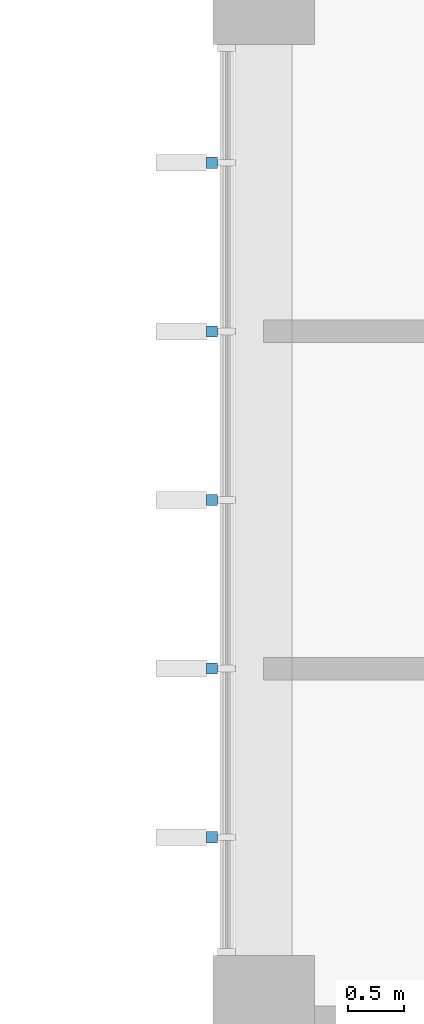
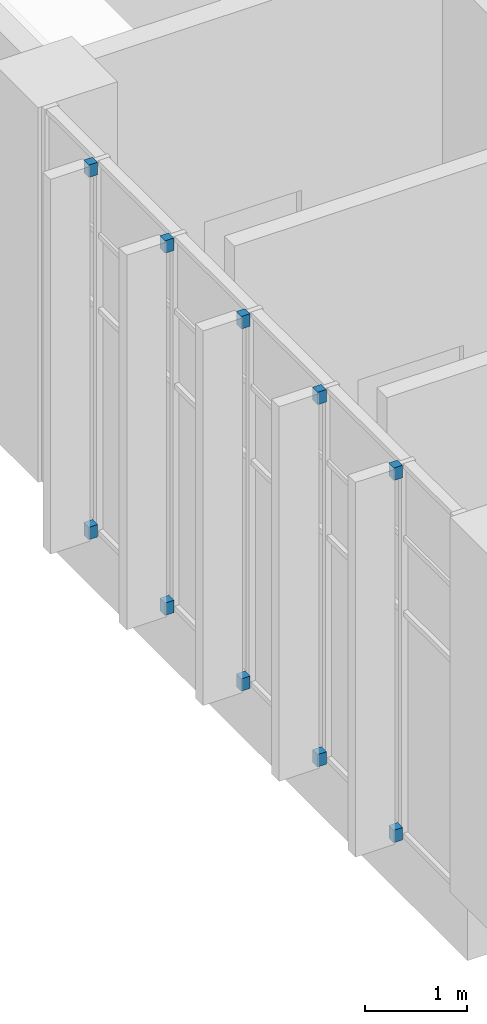
# One storey, part 65 of 79: 10 discrete accessories.
"""IFC4 building model written with IfcOpenShell, lengths in metres."""

import ifcopenshell
import ifcopenshell.guid

model = None  # the IFC model being written
_history = None  # IfcOwnerHistory: only IFC2X3 demands one
_inside = {}  # id of a spatial element -> (the spatial element, [elements in it])
_under = {}  # id of a project, library or spatial element -> (it, [spatial elements below it])
_declared = {}  # id of a project -> (the project, [libraries it declares])
_typed = {}  # id of a type object -> (the type object, [elements of that type])
_made_of = {}  # id of a material, layer set ... -> (it, [elements and type objects made of it])


def new_model(schema):
    """Start an empty IFC model of exactly this schema.

    Asked for "IFC4X3", IfcOpenShell would pick the latest addendum, in which some entities
    have other attributes; the version numbers below select the first issue.
    IFC2X3 requires an IfcOwnerHistory on every rooted entity: one is made here for all.
    """
    global model, _history
    if schema == "IFC4X3":
        model = ifcopenshell.file(schema_version=(4, 3, 0, 0))
    else:
        model = ifcopenshell.file(schema=schema)
    _inside.clear()
    _under.clear()
    _declared.clear()
    _typed.clear()
    _made_of.clear()
    _history = None
    if model.schema == "IFC2X3":
        org = make("IfcOrganization", Name="unknown")
        user = make(
            "IfcPersonAndOrganization",
            ThePerson=make("IfcPerson", FamilyName="unknown"),
            TheOrganization=org,
        )
        app = make(
            "IfcApplication",
            ApplicationDeveloper=org,
            Version="unknown",
            ApplicationFullName="unknown",
            ApplicationIdentifier="unknown",
        )
        _history = make(
            "IfcOwnerHistory",
            OwningUser=user,
            OwningApplication=app,
            ChangeAction="ADDED",
            CreationDate=0,
        )
    return model


def make(cls, **values):
    """One entity of the class cls with the attributes given. An attribute that is None is left unset."""
    return model.create_entity(
        cls, **{name: value for name, value in values.items() if value is not None}
    )


def rooted(cls, **values):
    """An entity with a GlobalId (a new one), such as an element, a storey or a relation."""
    return make(cls, GlobalId=ifcopenshell.guid.new(), OwnerHistory=_history, **values)


def si_unit(unit_type, name, prefix=None):
    """IfcSIUnit, for example si_unit("LENGTHUNIT", "METRE", prefix="MILLI")."""
    return make("IfcSIUnit", UnitType=unit_type, Prefix=prefix, Name=name)


def assignment(units):
    """IfcUnitAssignment: the units of a project."""
    return None if units is None else make("IfcUnitAssignment", Units=units)


def point(xyz):
    """IfcCartesianPoint."""
    return None if xyz is None else make("IfcCartesianPoint", Coordinates=xyz)


def direction(xyz):
    """IfcDirection."""
    return None if xyz is None else make("IfcDirection", DirectionRatios=xyz)


def frame(location, z_axis=None, x_axis=None):
    """IfcAxis2Placement3D, a coordinate frame: its origin and axes. An axis left out is left unset."""
    return make(
        "IfcAxis2Placement3D",
        Location=point(location),
        Axis=direction(z_axis),
        RefDirection=direction(x_axis),
    )


def frame_2d(location, x_axis=None):
    """IfcAxis2Placement2D, a coordinate frame in the plane: its origin and x axis."""
    return make(
        "IfcAxis2Placement2D", Location=point(location), RefDirection=direction(x_axis)
    )


def origin():
    """The frame at (0, 0, 0) with its axes left unset."""
    return frame((0.0, 0.0, 0.0))


def origin_2d():
    """The frame at (0, 0) in the plane with its x axis left unset."""
    return frame_2d((0.0, 0.0))


def place(relative_to, where):
    """IfcLocalPlacement: puts the frame where relative to a parent placement (None: the world)."""
    return make(
        "IfcLocalPlacement", PlacementRelTo=relative_to, RelativePlacement=where
    )


def context(
    kind, dimensions, precision=None, world=None, true_north=None, identifier=None
):
    """IfcGeometricRepresentationContext, for example the 3D "Model" context."""
    return make(
        "IfcGeometricRepresentationContext",
        ContextIdentifier=identifier,
        ContextType=kind,
        CoordinateSpaceDimension=dimensions,
        Precision=precision,
        WorldCoordinateSystem=world,
        TrueNorth=true_north,
    )


def subcontext(parent, identifier, kind, view, scale=None):
    """IfcGeometricRepresentationSubContext, for example "Body" below "Model"."""
    return make(
        "IfcGeometricRepresentationSubContext",
        ContextIdentifier=identifier,
        ContextType=kind,
        ParentContext=parent,
        TargetScale=scale,
        TargetView=view,
    )


def project(units=None, contexts=None):
    """IfcProject with its units and contexts."""
    return rooted(
        "IfcProject",
        Name="project",
        RepresentationContexts=contexts,
        UnitsInContext=assignment(units),
    )


def spatial(cls, under=None, at=None, **own):
    """A site, building, storey or space (cls), placed at a placement, below another one or the project."""
    s = rooted(cls, ObjectPlacement=at, **own)
    if under is not None:
        _under.setdefault(under.id(), (under, []))[1].append(s)
    return s


def profile(cls, at=None, kind="AREA", **sizes):
    """A parametric profile (cls). Its sizes go by their IFC names, for example OverallWidth=200.0."""
    return make(cls, ProfileType=kind, Position=at, **sizes)


def rectangle(**sizes):
    """IfcRectangleProfileDef."""
    return profile("IfcRectangleProfileDef", **sizes)


def extrude(swept, where, along, depth):
    """IfcExtrudedAreaSolid: the profile swept, set in the frame where, extruded along a direction by depth."""
    return make(
        "IfcExtrudedAreaSolid",
        SweptArea=swept,
        Position=where,
        ExtrudedDirection=direction(along),
        Depth=depth,
    )


def shape(context_of_items, identifier, shape_type, items):
    """IfcShapeRepresentation: the items that make up one representation, for example the "Body"."""
    return make(
        "IfcShapeRepresentation",
        ContextOfItems=context_of_items,
        RepresentationIdentifier=identifier,
        RepresentationType=shape_type,
        Items=items,
    )


def material(Name=None, Category=None):
    """IfcMaterial."""
    return make("IfcMaterial", Name=Name, Category=Category)


def made_of(thing, what):
    """Note that an element or type object is made of a material, layer set ...; save() writes the relation."""
    if what is not None:
        _made_of.setdefault(what.id(), (what, []))[1].append(thing)
    return thing


def type_object(cls, material=None, **own):
    """A type object (cls), such as IfcWallType, which elements share."""
    return made_of(rooted(cls, **own), material)


def element(
    cls,
    number,
    at=None,
    inside=None,
    cuts=None,
    type_object=None,
    material=None,
    context=None,
    identifier="Body",
    shape_type=None,
    held_by="IfcProductDefinitionShape",
    body=None,
    shapes=None,
    **own,
):
    """One element of the class cls, such as IfcWall. Its Tag is "e" and its number.

    at: its placement. inside: the storey or other place that contains it. cuts: it is an
    opening in that element (IfcRelVoidsElement). A single representation is given by context,
    identifier, shape_type and body (its items); several are given by shapes. held_by: the class
    of the entity that holds the representations. save() writes the other relations.
    """
    e = rooted(cls, Tag="e%d" % number, ObjectPlacement=at, **own)
    if body is not None:
        shapes = [shape(context, identifier, shape_type, body)]
    if shapes is not None:
        e.Representation = make(held_by, Representations=shapes)
    if inside is not None:
        _inside.setdefault(inside.id(), (inside, []))[1].append(e)
    if cuts is not None:
        rooted(
            "IfcRelVoidsElement", RelatingBuildingElement=cuts, RelatedOpeningElement=e
        )
    if type_object is not None:
        _typed.setdefault(type_object.id(), (type_object, []))[1].append(e)
    return made_of(e, material)


def aggregate(whole, parts):
    """IfcRelAggregates: a whole, such as a stair, and the parts it consists of."""
    return rooted("IfcRelAggregates", RelatingObject=whole, RelatedObjects=parts)


def save(model, path):
    """Write the relations noted so far, then the file.

    IfcRelAggregates (storeys below a building ...), IfcRelContainedInSpatialStructure (elements
    in a storey), IfcRelDefinesByType, IfcRelAssociatesMaterial and IfcRelDeclares: one each for
    every whole, place, type object, material and project.
    """
    for whole, parts in _under.values():
        aggregate(whole, parts)
    for where, things in _inside.values():
        rooted(
            "IfcRelContainedInSpatialStructure",
            RelatedElements=things,
            RelatingStructure=where,
        )
    for kind, things in _typed.values():
        rooted("IfcRelDefinesByType", RelatedObjects=things, RelatingType=kind)
    for what, things in _made_of.values():
        rooted("IfcRelAssociatesMaterial", RelatedObjects=things, RelatingMaterial=what)
    for by, libraries in _declared.values():
        rooted("IfcRelDeclares", RelatingContext=by, RelatedDefinitions=libraries)
    model.write(path)


model = new_model("IFC4")

# Units and contexts
model_context = context("Model", 3, precision=1e-05, world=origin(), true_north=direction((0.0, 1.0)))
body_context = subcontext(model_context, "Body", "Model", "MODEL_VIEW")
ifc_project = project(units=[si_unit("LENGTHUNIT", "METRE"), si_unit("AREAUNIT", "SQUARE_METRE"), si_unit("VOLUMEUNIT", "CUBIC_METRE"), si_unit("PLANEANGLEUNIT", "RADIAN"), si_unit("MASSUNIT", "GRAM", prefix="KILO")], contexts=[model_context])

# Site, building, storey
site_placement = place(None, origin())
site = spatial("IfcSite", under=ifc_project, at=site_placement, CompositionType="ELEMENT")
building_placement = place(site_placement, origin())
building = spatial("IfcBuilding", under=site, at=building_placement, Name="Guidao Yard Department Store", CompositionType="ELEMENT")
storey_placement = place(building_placement, frame((0.0, 0.0, 15.0)))
storey = spatial("IfcBuildingStorey", under=building, at=storey_placement, Name="L03", CompositionType="ELEMENT", Elevation=15.0)

# Discrete accessories
ifc_material = material(Name="Steel Q355B", Category="steel")
discrete_accessory_type = type_object("IfcDiscreteAccessoryType", Name="Fin bracket BR3 steel plate", PredefinedType="BRACKET", material=ifc_material)
for number, where, z_axis, x_axis, name in (
    (1, (125.5400390625, 10.5, 0.0), (0.0, 0.0, 1.0), (0.0, 1.0, 0.0), "Fin bracket"),
    (2, (125.5400390625, 10.5, 4.35009765625), (0.0, 0.0, 1.0), (0.0, 1.0, 0.0), "Fin bracket"),
    (3, (125.5400390625, 12.0, 0.0), (0.0, 0.0, 1.0), (0.0, 1.0, 0.0), "Fin bracket"),
    (4, (125.5400390625, 12.0, 4.35009765625), (0.0, 0.0, 1.0), (0.0, 1.0, 0.0), "Fin bracket"),
    (5, (125.5400390625, 13.5, 0.0), (0.0, 0.0, 1.0), (0.0, 1.0, 0.0), "Fin bracket"),
    (6, (125.5400390625, 13.5, 4.35009765625), (0.0, 0.0, 1.0), (0.0, 1.0, 0.0), "Fin bracket"),
    (7, (125.5400390625, 15.0, 0.0), (0.0, 0.0, 1.0), (0.0, 1.0, 0.0), "Fin bracket"),
    (8, (125.5400390625, 15.0, 4.35009765625), (0.0, 0.0, 1.0), (0.0, 1.0, 0.0), "Fin bracket"),
    (9, (125.5400390625, 16.5, 0.0), (0.0, 0.0, 1.0), (0.0, 1.0, 0.0), "Fin bracket"),
    (10, (125.5400390625, 16.5, 4.35009765625), (0.0, 0.0, 1.0), (0.0, 1.0, 0.0), "Fin bracket"),
):
    element("IfcDiscreteAccessory", number, at=place(storey_placement, frame(where, z_axis=z_axis, x_axis=x_axis)), inside=storey, type_object=discrete_accessory_type, Name=name, PredefinedType="BRACKET", context=body_context, shape_type="SweptSolid", body=[
        extrude(rectangle(XDim=0.10009765625, YDim=0.10009765625, at=origin_2d()), origin(), (0.0, 0.0, 1.0), 0.14990234375),
    ])

save(model, "model.ifc")
